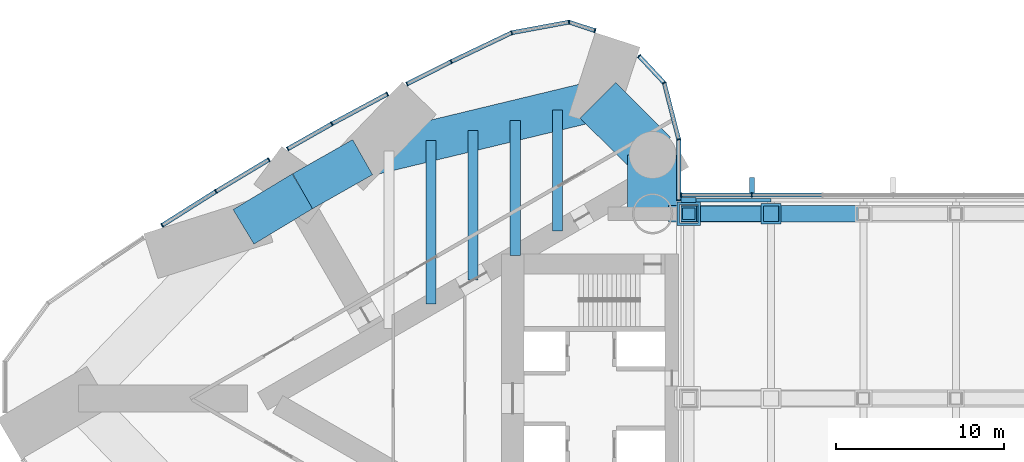
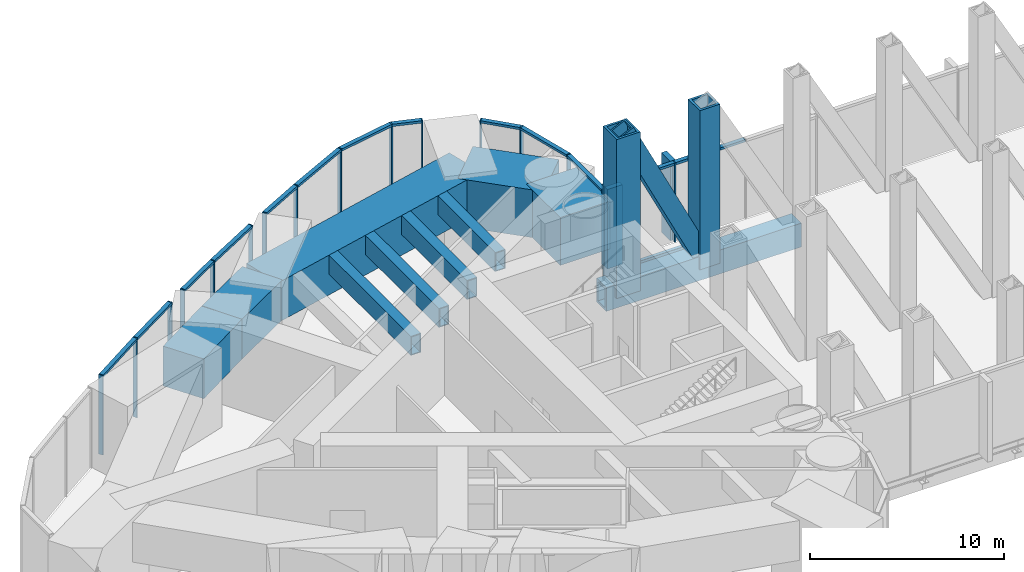
# One storey, part 6 of 21: 37 members, 10 beams, 5 elements without a shape of their own.
"""IFC4 building model written with IfcOpenShell, lengths in metres."""

from ifc_helpers import new_model, si_unit, direction, frame, origin, origin_2d, place, context, subcontext, project, spatial, rectangle, hollow_rectangle, i_section, extrude, material, material_profile, profile_set, type_object, element, aggregate, save


model = new_model("IFC4")

# Units and contexts
model_context = context("Model", 3, precision=1e-05, world=origin(), true_north=direction((0.0, 1.0)))
body_context = subcontext(model_context, "Body", "Model", "MODEL_VIEW")
ifc_project = project(units=[si_unit("LENGTHUNIT", "METRE"), si_unit("AREAUNIT", "SQUARE_METRE"), si_unit("VOLUMEUNIT", "CUBIC_METRE"), si_unit("PLANEANGLEUNIT", "RADIAN"), si_unit("MASSUNIT", "GRAM", prefix="KILO")], contexts=[model_context])

# Site, building, storey
site_placement = place(None, origin())
site = spatial("IfcSite", under=ifc_project, at=site_placement, CompositionType="ELEMENT")
building_placement = place(site_placement, origin())
building = spatial("IfcBuilding", under=site, at=building_placement, Name="Lancet Gate Hotel", CompositionType="ELEMENT")
storey_placement = place(building_placement, frame((0.0, 0.0, 205.300048828125)))
storey = spatial("IfcBuildingStorey", under=building, at=storey_placement, Name="L55", CompositionType="ELEMENT", Elevation=205.300048828125)

# Curtain wall, members
ifc_material_1 = material(Name="Aluminium curtain wall", Category="aluminium")
curtain_wall_type = type_object("IfcCurtainWallType", Name="Refuge storey louvred curtain wall", PredefinedType="USERDEFINED", material=ifc_material_1)
curtain_wall_1_placement = place(storey_placement, origin())
curtain_wall_1 = element("IfcCurtainWall", 1, at=curtain_wall_1_placement, inside=storey, type_object=curtain_wall_type, Name="T1 L55 curtain wall 1", ObjectType="LANTERN GLAZING", PredefinedType="USERDEFINED")
ifc_material_2 = material(Name="Aluminium mullion", Category="aluminium")
ifc_material_profile_1 = material_profile(ifc_material_2, rectangle(XDim=0.06494140625, YDim=0.25, at=origin_2d()), Name="MULLION 65x250")
ifc_profile_set_1 = profile_set([ifc_material_profile_1], Name="Aluminium mullion")
member_type_1 = type_object("IfcMemberType", Name="Aluminium mullion 65x250", PredefinedType="MULLION", material=ifc_profile_set_1)
member_1_placement = place(storey_placement, frame((-27.5, 11.811767578125, 0.0), z_axis=(0.0, 0.0, 1.0), x_axis=(0.0, 1.0, 0.0)))
member_1 = element("IfcMember", 2, at=member_1_placement, type_object=member_type_1, Name="T1 L55 curtain wall 1 mullion 1", PredefinedType="MULLION", context=body_context, shape_type="SweptSolid", body=[
    extrude(rectangle(XDim=0.06494140625, YDim=0.25, at=origin_2d()), origin(), (0.0, 0.0, 1.0), 5.0),
])
member_2_placement = place(storey_placement, frame((-27.5, 15.42333984375, 0.0), z_axis=(0.0, 0.0, 1.0), x_axis=(-0.122467472845, 0.992472527627, 0.0)))
member_2 = element("IfcMember", 3, at=member_2_placement, type_object=member_type_1, Name="T1 L55 curtain wall 1 mullion 2", PredefinedType="MULLION", context=body_context, shape_type="SweptSolid", body=[
    extrude(rectangle(XDim=0.06494140625, YDim=0.25, at=origin_2d()), origin(), (0.0, 0.0, 1.0), 5.0),
])
member_3_placement = place(storey_placement, frame((-28.360595703125, 18.7861328125, 0.0), z_axis=(0.0, 0.0, 1.0), x_axis=(-0.429049841875, 0.90328081635, 0.0)))
member_3 = element("IfcMember", 4, at=member_3_placement, type_object=member_type_1, Name="T1 L55 curtain wall 1 mullion 3", PredefinedType="MULLION", context=body_context, shape_type="SweptSolid", body=[
    extrude(rectangle(XDim=0.06494140625, YDim=0.25, at=origin_2d()), origin(), (0.0, 0.0, 1.0), 5.0),
])
member_4_placement = place(storey_placement, frame((-29.8583984375, 20.388671875, 0.0), z_axis=(0.0, 0.0, 1.0), x_axis=(-0.682844962172, 0.730563315282, 0.0)))
member_4 = element("IfcMember", 5, at=member_4_placement, type_object=member_type_1, Name="T1 L55 curtain wall 1 mullion 4", PredefinedType="MULLION", context=body_context, shape_type="SweptSolid", body=[
    extrude(rectangle(XDim=0.06494140625, YDim=0.25, at=origin_2d()), origin(), (0.0, 0.0, 1.0), 5.0),
])

curtain_wall_2_placement = place(storey_placement, origin())
curtain_wall_2 = element("IfcCurtainWall", 6, at=curtain_wall_2_placement, inside=storey, type_object=curtain_wall_type, Name="T1 L55 curtain wall 2", ObjectType="LANTERN GLAZING", PredefinedType="USERDEFINED")
member_5_placement = place(storey_placement, frame((-32.481689453125, 21.8984375, 0.0), z_axis=(0.0, 0.0, 1.0), x_axis=(-0.949848055084, 0.312711803827, 0.0)))
member_5 = element("IfcMember", 7, at=member_5_placement, type_object=member_type_1, Name="T1 L55 curtain wall 2 mullion 1", PredefinedType="MULLION", context=body_context, shape_type="SweptSolid", body=[
    extrude(rectangle(XDim=0.06494140625, YDim=0.25, at=origin_2d()), origin(), (0.0, 0.0, 1.0), 5.0),
])
member_6_placement = place(storey_placement, frame((-34.02783203125, 22.407470703125, 0.0), z_axis=(0.0, 0.0, 1.0), x_axis=(-0.99969339569, -0.024761151312, 0.0)))
member_6 = element("IfcMember", 8, at=member_6_placement, type_object=member_type_1, Name="T1 L55 curtain wall 2 mullion 2", PredefinedType="MULLION", context=body_context, shape_type="SweptSolid", body=[
    extrude(rectangle(XDim=0.06494140625, YDim=0.25, at=origin_2d()), origin(), (0.0, 0.0, 1.0), 5.0),
])
member_7_placement = place(storey_placement, frame((-37.44091796875, 21.775634765625, 0.0), z_axis=(0.0, 0.0, 1.0), x_axis=(-0.948119321052, -0.317914694609, 0.0)))
member_7 = element("IfcMember", 9, at=member_7_placement, type_object=member_type_1, Name="T1 L55 curtain wall 2 mullion 3", PredefinedType="MULLION", context=body_context, shape_type="SweptSolid", body=[
    extrude(rectangle(XDim=0.06494140625, YDim=0.25, at=origin_2d()), origin(), (0.0, 0.0, 1.0), 5.0),
])
member_8_placement = place(storey_placement, frame((-41.0498046875, 20.052978515625, 0.0), z_axis=(0.0, 0.0, 1.0), x_axis=(-0.898114902915, -0.439760868156, 0.0)))
member_8 = element("IfcMember", 10, at=member_8_placement, type_object=member_type_1, Name="T1 L55 curtain wall 2 mullion 4", PredefinedType="MULLION", context=body_context, shape_type="SweptSolid", body=[
    extrude(rectangle(XDim=0.06494140625, YDim=0.25, at=origin_2d()), origin(), (0.0, 0.0, 1.0), 5.0),
])
member_9_placement = place(storey_placement, frame((-43.6728515625, 18.72412109375, 0.0), z_axis=(0.0, 0.0, 1.0), x_axis=(-0.892071119911, -0.451895028762, 0.0)))
member_9 = element("IfcMember", 11, at=member_9_placement, type_object=member_type_1, Name="T1 L55 curtain wall 2 mullion 5", PredefinedType="MULLION", context=body_context, shape_type="SweptSolid", body=[
    extrude(rectangle(XDim=0.06494140625, YDim=0.25, at=origin_2d()), origin(), (0.0, 0.0, 1.0), 5.0),
])

curtain_wall_3_placement = place(storey_placement, origin())
curtain_wall_3 = element("IfcCurtainWall", 12, at=curtain_wall_3_placement, inside=storey, type_object=curtain_wall_type, Name="T1 L55 curtain wall 3", ObjectType="LANTERN GLAZING", PredefinedType="USERDEFINED")
member_10_placement = place(storey_placement, frame((-44.8447265625, 18.123779296875, 0.0), z_axis=(0.0, 0.0, 1.0), x_axis=(-0.881195096384, -0.472752791751, 0.0)))
member_10 = element("IfcMember", 13, at=member_10_placement, type_object=member_type_1, Name="T1 L55 curtain wall 3 mullion 1", PredefinedType="MULLION", context=body_context, shape_type="SweptSolid", body=[
    extrude(rectangle(XDim=0.06494140625, YDim=0.25, at=origin_2d()), origin(), (0.0, 0.0, 1.0), 5.0),
])
member_11_placement = place(storey_placement, frame((-48.140869140625, 16.355224609375, 0.0), z_axis=(0.0, 0.0, 1.0), x_axis=(-0.876172978452, -0.481996796494, 0.0)))
member_11 = element("IfcMember", 14, at=member_11_placement, type_object=member_type_1, Name="T1 L55 curtain wall 3 mullion 2", PredefinedType="MULLION", context=body_context, shape_type="SweptSolid", body=[
    extrude(rectangle(XDim=0.06494140625, YDim=0.25, at=origin_2d()), origin(), (0.0, 0.0, 1.0), 5.0),
])
member_12_placement = place(storey_placement, frame((-50.7734375, 14.8623046875, 0.0), z_axis=(0.0, 0.0, 1.0), x_axis=(-0.869831477496, -0.493348964484, 0.0)))
member_12 = element("IfcMember", 15, at=member_12_placement, type_object=member_type_1, Name="T1 L55 curtain wall 3 mullion 3", PredefinedType="MULLION", context=body_context, shape_type="SweptSolid", body=[
    extrude(rectangle(XDim=0.06494140625, YDim=0.25, at=origin_2d()), origin(), (0.0, 0.0, 1.0), 5.0),
])

curtain_wall_4_placement = place(storey_placement, origin())
curtain_wall_4 = element("IfcCurtainWall", 16, at=curtain_wall_4_placement, inside=storey, type_object=curtain_wall_type, Name="T1 L55 curtain wall 4", ObjectType="LANTERN GLAZING", PredefinedType="USERDEFINED")
member_13_placement = place(storey_placement, frame((-51.895751953125, 14.217041015625, 0.0), z_axis=(0.0, 0.0, 1.0), x_axis=(-0.857986551132, -0.51367215038, 0.0)))
member_13 = element("IfcMember", 17, at=member_13_placement, type_object=member_type_1, Name="T1 L55 curtain wall 4 mullion 1", PredefinedType="MULLION", context=body_context, shape_type="SweptSolid", body=[
    extrude(rectangle(XDim=0.06494140625, YDim=0.25, at=origin_2d()), origin(), (0.0, 0.0, 1.0), 5.0),
])
member_14_placement = place(storey_placement, frame((-55.05029296875, 12.328369140625, 0.0), z_axis=(0.0, 0.0, 1.0), x_axis=(-0.851797072513, -0.523871880576, 0.0)))
member_14 = element("IfcMember", 18, at=member_14_placement, type_object=member_type_1, Name="T1 L55 curtain wall 4 mullion 2", PredefinedType="MULLION", context=body_context, shape_type="SweptSolid", body=[
    extrude(rectangle(XDim=0.06494140625, YDim=0.25, at=origin_2d()), origin(), (0.0, 0.0, 1.0), 5.0),
])
member_15_placement = place(storey_placement, frame((-58.25048828125, 10.30859375, 0.0), z_axis=(0.0, 0.0, 1.0), x_axis=(-0.845666871497, -0.533711103925, 0.0)))
member_15 = element("IfcMember", 19, at=member_15_placement, type_object=member_type_1, Name="T1 L55 curtain wall 4 mullion 3", PredefinedType="MULLION", context=body_context, shape_type="SweptSolid", body=[
    extrude(rectangle(XDim=0.06494140625, YDim=0.25, at=origin_2d()), origin(), (0.0, 0.0, 1.0), 5.0),
])

curtain_wall_5_placement = place(storey_placement, origin())
curtain_wall_5 = element("IfcCurtainWall", 20, at=curtain_wall_5_placement, inside=storey, type_object=curtain_wall_type, Name="Bridge block L55 curtain wall N", ObjectType="LANTERN GLAZING", PredefinedType="USERDEFINED")
member_16_placement = place(storey_placement, frame((-23.142333984375, 12.1201171875, 0.0), z_axis=(0.0, 0.0, 1.0), x_axis=(-1.0, 0.0, 0.0)))
member_16 = element("IfcMember", 21, at=member_16_placement, type_object=member_type_1, Name="Bridge block L55 curtain wall N mullion 13", PredefinedType="MULLION", context=body_context, shape_type="SweptSolid", body=[
    extrude(rectangle(XDim=0.06494140625, YDim=0.25, at=origin_2d()), origin(), (0.0, 0.0, 1.0), 5.0),
])
member_17_placement = place(storey_placement, frame((-27.35009765625, 12.1201171875, 0.0), z_axis=(0.0, 0.0, 1.0), x_axis=(-1.0, 0.0, 0.0)))
member_17 = element("IfcMember", 22, at=member_17_placement, type_object=member_type_1, Name="Bridge block L55 curtain wall N mullion 14", PredefinedType="MULLION", context=body_context, shape_type="SweptSolid", body=[
    extrude(rectangle(XDim=0.06494140625, YDim=0.25, at=origin_2d()), origin(), (0.0, 0.0, 1.0), 5.0),
])

# Member
ifc_material_3 = material(Name="Aluminium transom", Category="aluminium")
ifc_material_profile_2 = material_profile(ifc_material_3, rectangle(XDim=0.25, YDim=0.14990234375, at=origin_2d()), Name="TRANSOM 250x150")
ifc_profile_set_2 = profile_set([ifc_material_profile_2], Name="Aluminium transom")
member_type_2 = type_object("IfcMemberType", Name="Aluminium transom 250x150", PredefinedType="USERDEFINED", material=ifc_profile_set_2)
member_18_placement = place(storey_placement, frame((-27.5, 11.84423828125, 4.925048828125), z_axis=(0.0, 1.0, 0.0), x_axis=(-1.0, 0.0, 0.0)))
member_18 = element("IfcMember", 23, at=member_18_placement, type_object=member_type_2, Name="T1 L55 curtain wall 1 transom 1", ObjectType="TRANSOM", PredefinedType="USERDEFINED", context=body_context, shape_type="SweptSolid", body=[
    extrude(rectangle(XDim=0.25, YDim=0.14990234375, at=origin_2d()), origin(), (0.0, 0.0, 1.0), 3.546630859375),
])

member_19_placement = place(storey_placement, frame((-27.508056640625, 15.454833984375, 4.925048828125), z_axis=(-0.247928683912, 0.968778286139, 0.0), x_axis=(-0.968778286139, -0.247928683912, 0.0)))
member_19 = element("IfcMember", 24, at=member_19_placement, type_object=member_type_2, Name="T1 L55 curtain wall 1 transom 2", ObjectType="TRANSOM", PredefinedType="USERDEFINED", context=body_context, shape_type="SweptSolid", body=[
    extrude(rectangle(XDim=0.25, YDim=0.14990234375, at=origin_2d()), origin(), (0.0, 0.0, 1.0), 3.40625),
])

member_20_placement = place(storey_placement, frame((-28.3828125, 18.809814453125, 4.925048828125), z_axis=(-0.682845284953, 0.730563013584, 0.0), x_axis=(-0.730563013584, -0.682845284953, 0.0)))
member_20 = element("IfcMember", 25, at=member_20_placement, type_object=member_type_2, Name="T1 L55 curtain wall 1 transom 3", ObjectType="TRANSOM", PredefinedType="USERDEFINED", context=body_context, shape_type="SweptSolid", body=[
    extrude(rectangle(XDim=0.25, YDim=0.14990234375, at=origin_2d()), origin(), (0.0, 0.0, 1.0), 2.12841796875),
])

member_21_placement = place(storey_placement, frame((-32.5126953125, 21.908447265625, 4.925048828125), z_axis=(-0.949833005468, 0.312757512656, 0.0), x_axis=(-0.312757512656, -0.949833005468, 0.0)))
member_21 = element("IfcMember", 26, at=member_21_placement, type_object=member_type_2, Name="T1 L55 curtain wall 2 transom 1", ObjectType="TRANSOM", PredefinedType="USERDEFINED", context=body_context, shape_type="SweptSolid", body=[
    extrude(rectangle(XDim=0.25, YDim=0.14990234375, at=origin_2d()), origin(), (0.0, 0.0, 1.0), 1.562744140625),
])

member_22_placement = place(storey_placement, frame((-34.059814453125, 22.401611328125, 4.925048828125), z_axis=(-0.983286757871, -0.182063592724, 0.0), x_axis=(0.182063592724, -0.983286757871, 0.0)))
member_22 = element("IfcMember", 27, at=member_22_placement, type_object=member_type_2, Name="T1 L55 curtain wall 2 transom 2", ObjectType="TRANSOM", PredefinedType="USERDEFINED", context=body_context, shape_type="SweptSolid", body=[
    extrude(rectangle(XDim=0.25, YDim=0.14990234375, at=origin_2d()), origin(), (0.0, 0.0, 1.0), 3.406005859375),
])

member_23_placement = place(storey_placement, frame((-37.47021484375, 21.761474609375, 4.925048828125), z_axis=(-0.902468975385, -0.430754858902, 0.0), x_axis=(0.430754858902, -0.902468975385, 0.0)))
member_23 = element("IfcMember", 28, at=member_23_placement, type_object=member_type_2, Name="T1 L55 curtain wall 2 transom 3", ObjectType="TRANSOM", PredefinedType="USERDEFINED", context=body_context, shape_type="SweptSolid", body=[
    extrude(rectangle(XDim=0.25, YDim=0.14990234375, at=origin_2d()), origin(), (0.0, 0.0, 1.0), 3.93408203125),
])

member_24_placement = place(storey_placement, frame((-41.078857421875, 20.0380859375, 4.925048828125), z_axis=(-0.892071375921, -0.451894523382, 0.0), x_axis=(0.451894523382, -0.892071375921, 0.0)))
member_24 = element("IfcMember", 29, at=member_24_placement, type_object=member_type_2, Name="T1 L55 curtain wall 2 transom 4", ObjectType="TRANSOM", PredefinedType="USERDEFINED", context=body_context, shape_type="SweptSolid", body=[
    extrude(rectangle(XDim=0.25, YDim=0.14990234375, at=origin_2d()), origin(), (0.0, 0.0, 1.0), 2.875244140625),
])

aggregate(curtain_wall_2, [member_5, member_6, member_7, member_8, member_9, member_21, member_22, member_23, member_24])

member_25_placement = place(storey_placement, frame((-44.873291015625, 18.1083984375, 4.925048828125), z_axis=(-0.881184564391, -0.472772422502, 0.0), x_axis=(0.472772422502, -0.881184564391, 0.0)))
member_25 = element("IfcMember", 30, at=member_25_placement, type_object=member_type_2, Name="T1 L55 curtain wall 3 transom 1", ObjectType="TRANSOM", PredefinedType="USERDEFINED", context=body_context, shape_type="SweptSolid", body=[
    extrude(rectangle(XDim=0.25, YDim=0.14990234375, at=origin_2d()), origin(), (0.0, 0.0, 1.0), 3.67578125),
])

member_26_placement = place(storey_placement, frame((-48.169189453125, 16.33935546875, 4.925048828125), z_axis=(-0.869806404076, -0.493393169216, 0.0), x_axis=(0.493393169216, -0.869806404076, 0.0)))
member_26 = element("IfcMember", 31, at=member_26_placement, type_object=member_type_2, Name="T1 L55 curtain wall 3 transom 2", ObjectType="TRANSOM", PredefinedType="USERDEFINED", context=body_context, shape_type="SweptSolid", body=[
    extrude(rectangle(XDim=0.25, YDim=0.14990234375, at=origin_2d()), origin(), (0.0, 0.0, 1.0), 2.96142578125),
])

aggregate(curtain_wall_3, [member_10, member_11, member_12, member_25, member_26])

member_27_placement = place(storey_placement, frame((-51.923583984375, 14.200439453125, 4.925048828125), z_axis=(-0.857963732288, -0.513710262774, 0.0), x_axis=(0.513710262774, -0.857963732288, 0.0)))
member_27 = element("IfcMember", 32, at=member_27_placement, type_object=member_type_2, Name="T1 L55 curtain wall 4 transom 1", ObjectType="TRANSOM", PredefinedType="USERDEFINED", context=body_context, shape_type="SweptSolid", body=[
    extrude(rectangle(XDim=0.25, YDim=0.14990234375, at=origin_2d()), origin(), (0.0, 0.0, 1.0), 3.61181640625),
])

member_28_placement = place(storey_placement, frame((-55.077880859375, 12.31103515625, 4.925048828125), z_axis=(-0.845655759396, -0.533728710677, 0.0), x_axis=(0.533728710677, -0.845655759396, 0.0)))
member_28 = element("IfcMember", 33, at=member_28_placement, type_object=member_type_2, Name="T1 L55 curtain wall 4 transom 2", ObjectType="TRANSOM", PredefinedType="USERDEFINED", context=body_context, shape_type="SweptSolid", body=[
    extrude(rectangle(XDim=0.25, YDim=0.14990234375, at=origin_2d()), origin(), (0.0, 0.0, 1.0), 3.71923828125),
])

aggregate(curtain_wall_4, [member_13, member_14, member_15, member_27, member_28])

member_29_placement = place(storey_placement, frame((-18.967041015625, 12.1201171875, 4.925048828125), z_axis=(-1.0, 0.0, 0.0), x_axis=(0.0, -1.0, 0.0)))
member_29 = element("IfcMember", 34, at=member_29_placement, type_object=member_type_2, Name="Bridge block L55 curtain wall N transom 12", ObjectType="TRANSOM", PredefinedType="USERDEFINED", context=body_context, shape_type="SweptSolid", body=[
    extrude(rectangle(XDim=0.25, YDim=0.14990234375, at=origin_2d()), origin(), (0.0, 0.0, 1.0), 4.142822265625),
])

member_30_placement = place(storey_placement, frame((-23.1748046875, 12.1201171875, 4.925048828125), z_axis=(-1.0, 0.0, 0.0), x_axis=(0.0, -1.0, 0.0)))
member_30 = element("IfcMember", 35, at=member_30_placement, type_object=member_type_2, Name="Bridge block L55 curtain wall N transom 13", ObjectType="TRANSOM", PredefinedType="USERDEFINED", context=body_context, shape_type="SweptSolid", body=[
    extrude(rectangle(XDim=0.25, YDim=0.14990234375, at=origin_2d()), origin(), (0.0, 0.0, 1.0), 4.142578125),
])

# Beam
ifc_material_4 = material(Name="Steel S355", Category="steel")
ifc_material_profile_3 = material_profile(ifc_material_4, i_section(OverallWidth=0.19140625, OverallDepth=0.4599609375, WebThickness=0.010009765625, FlangeThickness=0.01611328125, FilletRadius=0.01025390625, at=origin_2d()), Name="UKB 457x191x82")
ifc_profile_set_3 = profile_set([ifc_material_profile_3], Name="Steel S355")
beam_type_1 = type_object("IfcBeamType", Name="Block edge beam UKB 457x191x82", PredefinedType="SPANDREL", material=ifc_profile_set_3)
beam_1_placement = place(storey_placement, frame((-26.89990234375, 11.800048828125, -0.429931640625), z_axis=(1.0, 0.0, 0.0), x_axis=(0.0, 1.0, 0.0)))
element("IfcBeam", 36, at=beam_1_placement, inside=storey, type_object=beam_type_1, Name="Block edge beam N 0-1 L55", PredefinedType="SPANDREL", context=body_context, shape_type="SweptSolid", body=[
    extrude(i_section(OverallWidth=0.19140625, OverallDepth=0.4599609375, WebThickness=0.010009765625, FlangeThickness=0.01611328125, FilletRadius=0.01025390625, at=origin_2d()), origin(), (0.0, 0.0, 1.0), 4.89990234375),
])

# Member
ifc_material_5 = material(Name="Precast concrete C50/60", Category="concrete")
ifc_material_profile_4 = material_profile(ifc_material_5, rectangle(XDim=0.300048828125, YDim=0.89990234375, at=origin_2d()), Name="FIN 300x900")
ifc_profile_set_4 = profile_set([ifc_material_profile_4], Name="Precast concrete C50/60")
member_type_3 = type_object("IfcMemberType", Name="Exposed concrete fin 300x900", PredefinedType="USERDEFINED", material=ifc_profile_set_4)
member_31_placement = place(storey_placement, frame((-26.925048828125, 11.811767578125, 0.0), z_axis=(0.0, 0.0, 1.0), x_axis=(0.0, 1.0, 0.0)))
member_31 = element("IfcMember", 37, at=member_31_placement, type_object=member_type_3, Name="T1 L55 curtain wall 1 fin 1", ObjectType="FIN", PredefinedType="USERDEFINED", context=body_context, shape_type="SweptSolid", body=[
    extrude(rectangle(XDim=0.300048828125, YDim=0.89990234375, at=origin_2d()), origin(), (0.0, 0.0, 1.0), 5.0),
])

aggregate(curtain_wall_1, [member_1, member_31, member_2, member_3, member_4, member_18, member_19, member_20])

member_32_placement = place(storey_placement, frame((-23.142333984375, 12.695068359375, 0.0), z_axis=(0.0, 0.0, 1.0), x_axis=(-1.0, 0.0, 0.0)))
member_32 = element("IfcMember", 38, at=member_32_placement, type_object=member_type_3, Name="Bridge block L55 curtain wall N fin 13", ObjectType="FIN", PredefinedType="USERDEFINED", context=body_context, shape_type="SweptSolid", body=[
    extrude(rectangle(XDim=0.300048828125, YDim=0.89990234375, at=origin_2d()), origin(), (0.0, 0.0, 1.0), 5.0),
])

aggregate(curtain_wall_5, [member_16, member_32, member_17, member_29, member_30])

# Beams
ifc_material_6 = material(Name="Steel S460QL", Category="steel")
ifc_material_profile_5 = material_profile(ifc_material_6, hollow_rectangle(XDim=0.60009765625, YDim=1.199951171875, WallThickness=0.050048828125, at=origin_2d()), Name="BOX 1200x600x50")
ifc_profile_set_5 = profile_set([ifc_material_profile_5], Name="Steel S460QL")
beam_type_2 = type_object("IfcBeamType", Name="Refuge floor beam BOX 1200x600x50", PredefinedType="BEAM", material=ifc_profile_set_5)
beam_2_placement = place(storey_placement, frame((-34.720458984375, 17.161865234375, 4.14990234375), z_axis=(0.0, -1.0, 0.0), x_axis=(1.0, 0.0, 0.0)))
element("IfcBeam", 39, at=beam_2_placement, inside=storey, type_object=beam_type_2, Name="T1 floor beam F02S L55", PredefinedType="BEAM", context=body_context, shape_type="SweptSolid", body=[
    extrude(hollow_rectangle(XDim=0.60009765625, YDim=1.199951171875, WallThickness=0.050048828125, at=origin_2d()), origin(), (0.0, 0.0, 1.0), 7.203857421875),
])
beam_3_placement = place(storey_placement, frame((-37.227294921875, 16.557373046875, 4.14990234375), z_axis=(0.0, -1.0, 0.0), x_axis=(1.0, 0.0, 0.0)))
element("IfcBeam", 40, at=beam_3_placement, inside=storey, type_object=beam_type_2, Name="T1 floor beam F03S L55", PredefinedType="BEAM", context=body_context, shape_type="SweptSolid", body=[
    extrude(hollow_rectangle(XDim=0.60009765625, YDim=1.199951171875, WallThickness=0.050048828125, at=origin_2d()), origin(), (0.0, 0.0, 1.0), 8.046630859375),
])
beam_4_placement = place(storey_placement, frame((-39.734130859375, 15.952880859375, 4.14990234375), z_axis=(0.0, -1.0, 0.0), x_axis=(1.0, 0.0, 0.0)))
element("IfcBeam", 41, at=beam_4_placement, inside=storey, type_object=beam_type_2, Name="T1 floor beam F05S L55", PredefinedType="BEAM", context=body_context, shape_type="SweptSolid", body=[
    extrude(hollow_rectangle(XDim=0.60009765625, YDim=1.199951171875, WallThickness=0.050048828125, at=origin_2d()), origin(), (0.0, 0.0, 1.0), 8.889404296875),
])
beam_5_placement = place(storey_placement, frame((-42.240966796875, 15.348388671875, 4.14990234375), z_axis=(0.0, -1.0, 0.0), x_axis=(1.0, 0.0, 0.0)))
element("IfcBeam", 42, at=beam_5_placement, inside=storey, type_object=beam_type_2, Name="T1 floor beam F06S L55", PredefinedType="BEAM", context=body_context, shape_type="SweptSolid", body=[
    extrude(hollow_rectangle(XDim=0.60009765625, YDim=1.199951171875, WallThickness=0.050048828125, at=origin_2d()), origin(), (0.0, 0.0, 1.0), 9.732421875),
])
ifc_material_7 = material(Name="Concrete C50/60", Category="concrete")
ifc_material_profile_6 = material_profile(ifc_material_7, rectangle(XDim=2.39990234375, YDim=2.5, at=origin_2d()), Name="RC 2400x2500")
ifc_profile_set_6 = profile_set([ifc_material_profile_6], Name="Concrete C50/60")
beam_type_3 = type_object("IfcBeamType", Name="Tie ring beam RC 2400x2500", PredefinedType="SPANDREL", material=ifc_profile_set_6)
beam_6_placement = place(storey_placement, frame((-32.301025390625, 17.745361328125, 3.5), z_axis=(-0.972132796948, -0.234430853556, 0.0), x_axis=(0.234430853556, -0.972132796948, 0.0)))
element("IfcBeam", 43, at=beam_6_placement, inside=storey, type_object=beam_type_3, Name="T1 tie ring beam RG1 L55", PredefinedType="SPANDREL", context=body_context, shape_type="SweptSolid", body=[
    extrude(rectangle(XDim=2.39990234375, YDim=2.5, at=origin_2d()), origin(), (0.0, 0.0, 1.0), 14.41748046875),
])
for number, where, z_axis, x_axis, name in (
    (44, (-46.316650390625, 14.365478515625, 3.5), (-0.869978841992, -0.493089053301, 0.0), (0.493089053301, -0.869978841992, 0.0), "T1 tie ring beam RG1 L55"),
    (45, (-49.89013671875, 12.340087890625, 3.5), (-0.856358061538, -0.516382484636, 0.0), (0.516382484636, -0.856358061538, 0.0), "T1 tie ring beam RG1 L55"),
):
    element("IfcBeam", number, at=place(storey_placement, frame(where, z_axis=z_axis, x_axis=x_axis)), inside=storey, type_object=beam_type_3, Name=name, PredefinedType="SPANDREL", context=body_context, shape_type="SweptSolid", body=[
        extrude(rectangle(XDim=2.39990234375, YDim=2.5, at=origin_2d()), origin(), (0.0, 0.0, 1.0), 4.107666015625),
    ])
ifc_material_8 = material(Name="Concrete C50/60", Category="concrete")
ifc_material_profile_7 = material_profile(ifc_material_8, rectangle(XDim=3.0, YDim=3.0, at=origin_2d()), Name="RC 3000x3000")
ifc_profile_set_7 = profile_set([ifc_material_profile_7], Name="Concrete C50/60")
beam_type_4 = type_object("IfcBeamType", Name="Tie ring beam RC 3000x3000", PredefinedType="SPANDREL", material=ifc_profile_set_7)
beam_7_placement = place(storey_placement, frame((-32.301025390625, 17.745361328125, 3.25), z_axis=(0.707717718128, -0.706495315942, 0.0), x_axis=(0.706495315942, 0.707717718128, 0.0)))
element("IfcBeam", 46, at=beam_7_placement, inside=storey, type_object=beam_type_4, Name="T1 tie ring beam RG4 L55", PredefinedType="SPANDREL", context=body_context, shape_type="SweptSolid", body=[
    extrude(rectangle(XDim=3.0, YDim=3.0, at=origin_2d()), origin(), (0.0, 0.0, 1.0), 4.593505859375),
])
beam_8_placement = place(storey_placement, frame((-29.050048828125, 14.5, 3.25), z_axis=(0.0, -1.0, 0.0), x_axis=(1.0, 0.0, 0.0)))
element("IfcBeam", 47, at=beam_8_placement, inside=storey, type_object=beam_type_4, Name="T1 tie ring beam RG4 L55", PredefinedType="SPANDREL", context=body_context, shape_type="SweptSolid", body=[
    extrude(rectangle(XDim=3.0, YDim=3.0, at=origin_2d()), origin(), (0.0, 0.0, 1.0), 3.5),
])

# Members
ifc_material_9 = material(Name="Steel S460QL", Category="steel")
ifc_material_profile_8 = material_profile(ifc_material_9, hollow_rectangle(XDim=1.0, YDim=1.5, WallThickness=0.14990234375, at=origin_2d()), Name="BOX 1500x1000x150")
ifc_profile_set_8 = profile_set([ifc_material_profile_8], Name="Steel S460QL")
member_type_4 = type_object("IfcMemberType", Name="Truss bottom chord BOX 1500x1000x150", PredefinedType="CHORD", material=ifc_profile_set_8)
member_33_placement = place(storey_placement, frame((-28.10009765625, 11.0, -0.949951171875), z_axis=(1.0, 0.0, 0.0), x_axis=(0.0, 1.0, 0.0)))
element("IfcMember", 48, at=member_33_placement, inside=storey, type_object=member_type_4, Name="Truss N bottom chord panel 1", PredefinedType="CHORD", context=body_context, shape_type="SweptSolid", body=[
    extrude(hollow_rectangle(XDim=1.0, YDim=1.5, WallThickness=0.14990234375, at=origin_2d()), origin(), (0.0, 0.0, 1.0), 6.10009765625),
])
member_34_placement = place(storey_placement, frame((-22.0, 11.0, -0.949951171875), z_axis=(1.0, 0.0, 0.0), x_axis=(0.0, 1.0, 0.0)))
element("IfcMember", 49, at=member_34_placement, inside=storey, type_object=member_type_4, Name="Truss N bottom chord panel 2", PredefinedType="CHORD", context=body_context, shape_type="SweptSolid", body=[
    extrude(hollow_rectangle(XDim=1.0, YDim=1.5, WallThickness=0.14990234375, at=origin_2d()), origin(), (0.0, 0.0, 1.0), 5.5),
])
ifc_material_10 = material(Name="Steel S460QL", Category="steel")
ifc_material_profile_9 = material_profile(ifc_material_10, hollow_rectangle(XDim=0.89990234375, YDim=1.0, WallThickness=0.10009765625, at=origin_2d()), Name="BOX 1000x900x100")
ifc_profile_set_9 = profile_set([ifc_material_profile_9], Name="Steel S460QL")
member_type_5 = type_object("IfcMemberType", Name="Truss diagonal BOX 1000x900x100", PredefinedType="BRACE", material=ifc_profile_set_9)
member_35_placement = place(storey_placement, frame((-26.89990234375, 11.0, 9.050048828125), z_axis=(0.440008176176, 0.0, -0.897993766625), x_axis=(0.0, 1.0, 0.0)))
element("IfcMember", 50, at=member_35_placement, inside=storey, type_object=member_type_5, Name="Truss N diagonal panel 1", PredefinedType="BRACE", context=body_context, shape_type="SweptSolid", body=[
    extrude(hollow_rectangle(XDim=0.89990234375, YDim=1.0, WallThickness=0.10009765625, at=origin_2d()), origin(), (0.0, 0.0, 1.0), 11.135986328125),
])
ifc_material_11 = material(Name="Steel S460QL", Category="steel")
ifc_material_profile_10 = material_profile(ifc_material_11, hollow_rectangle(XDim=1.39990234375, YDim=1.39990234375, WallThickness=0.139892578125, at=origin_2d()), Name="BOX 1400x1400x140")
ifc_profile_set_10 = profile_set([ifc_material_profile_10], Name="Steel S460QL")
member_type_6 = type_object("IfcMemberType", Name="Truss end post BOX 1400x1400x140", PredefinedType="POST", material=ifc_profile_set_10)
member_36_placement = place(storey_placement, frame((-26.89990234375, 11.0, -0.949951171875), z_axis=(0.0, 0.0, 1.0), x_axis=(1.0, 0.0, 0.0)))
element("IfcMember", 51, at=member_36_placement, inside=storey, type_object=member_type_6, Name="Truss N post 0", PredefinedType="POST", context=body_context, shape_type="SweptSolid", body=[
    extrude(hollow_rectangle(XDim=1.39990234375, YDim=1.39990234375, WallThickness=0.139892578125, at=origin_2d()), origin(), (0.0, 0.0, 1.0), 10.0),
])
ifc_material_12 = material(Name="Steel S460QL", Category="steel")
ifc_material_profile_11 = material_profile(ifc_material_12, hollow_rectangle(XDim=1.199951171875, YDim=1.199951171875, WallThickness=0.139892578125, at=origin_2d()), Name="BOX 1200x1200x140")
ifc_profile_set_11 = profile_set([ifc_material_profile_11], Name="Steel S460QL")
member_type_7 = type_object("IfcMemberType", Name="Truss post BOX 1200x1200x140", PredefinedType="POST", material=ifc_profile_set_11)
member_37_placement = place(storey_placement, frame((-22.0, 11.0, -0.949951171875), z_axis=(0.0, 0.0, 1.0), x_axis=(1.0, 0.0, 0.0)))
element("IfcMember", 52, at=member_37_placement, inside=storey, type_object=member_type_7, Name="Truss N post 1", PredefinedType="POST", context=body_context, shape_type="SweptSolid", body=[
    extrude(hollow_rectangle(XDim=1.199951171875, YDim=1.199951171875, WallThickness=0.139892578125, at=origin_2d()), origin(), (0.0, 0.0, 1.0), 10.0),
])

save(model, "model.ifc")
